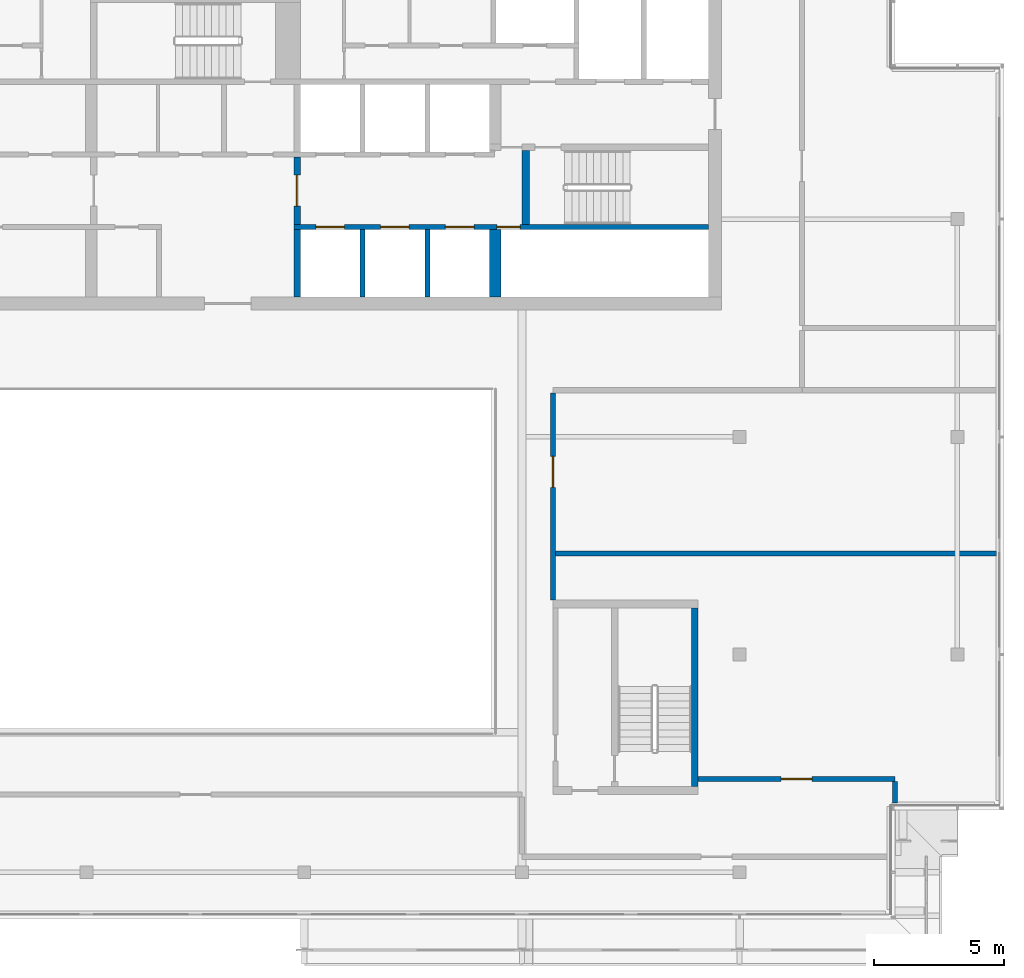
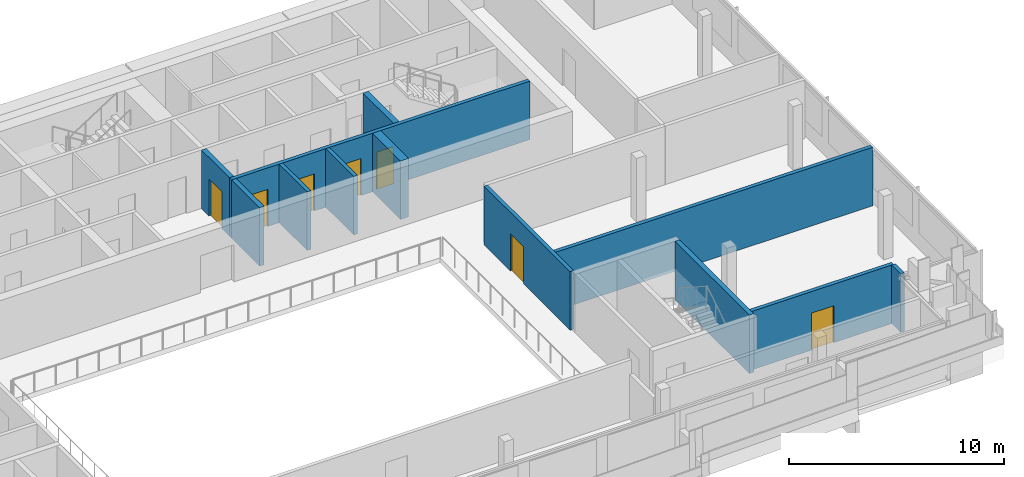
# One storey, part 13 of 21: 12 walls, 7 doors, 7 openings.
"""IFC4 building model written with IfcOpenShell, lengths in metres."""

import ifcopenshell
import ifcopenshell.guid

model = None  # the IFC model being written
_history = None  # IfcOwnerHistory: only IFC2X3 demands one
_inside = {}  # id of a spatial element -> (the spatial element, [elements in it])
_under = {}  # id of a project, library or spatial element -> (it, [spatial elements below it])
_declared = {}  # id of a project -> (the project, [libraries it declares])
_typed = {}  # id of a type object -> (the type object, [elements of that type])
_made_of = {}  # id of a material, layer set ... -> (it, [elements and type objects made of it])


def new_model(schema):
    """Start an empty IFC model of exactly this schema.

    Asked for "IFC4X3", IfcOpenShell would pick the latest addendum, in which some entities
    have other attributes; the version numbers below select the first issue.
    IFC2X3 requires an IfcOwnerHistory on every rooted entity: one is made here for all.
    """
    global model, _history
    if schema == "IFC4X3":
        model = ifcopenshell.file(schema_version=(4, 3, 0, 0))
    else:
        model = ifcopenshell.file(schema=schema)
    _inside.clear()
    _under.clear()
    _declared.clear()
    _typed.clear()
    _made_of.clear()
    _history = None
    if model.schema == "IFC2X3":
        org = make("IfcOrganization", Name="unknown")
        user = make(
            "IfcPersonAndOrganization",
            ThePerson=make("IfcPerson", FamilyName="unknown"),
            TheOrganization=org,
        )
        app = make(
            "IfcApplication",
            ApplicationDeveloper=org,
            Version="unknown",
            ApplicationFullName="unknown",
            ApplicationIdentifier="unknown",
        )
        _history = make(
            "IfcOwnerHistory",
            OwningUser=user,
            OwningApplication=app,
            ChangeAction="ADDED",
            CreationDate=0,
        )
    return model


def make(cls, **values):
    """One entity of the class cls with the attributes given. An attribute that is None is left unset."""
    return model.create_entity(
        cls, **{name: value for name, value in values.items() if value is not None}
    )


def rooted(cls, **values):
    """An entity with a GlobalId (a new one), such as an element, a storey or a relation."""
    return make(cls, GlobalId=ifcopenshell.guid.new(), OwnerHistory=_history, **values)


def si_unit(unit_type, name, prefix=None):
    """IfcSIUnit, for example si_unit("LENGTHUNIT", "METRE", prefix="MILLI")."""
    return make("IfcSIUnit", UnitType=unit_type, Prefix=prefix, Name=name)


def assignment(units):
    """IfcUnitAssignment: the units of a project."""
    return None if units is None else make("IfcUnitAssignment", Units=units)


def point(xyz):
    """IfcCartesianPoint."""
    return None if xyz is None else make("IfcCartesianPoint", Coordinates=xyz)


def direction(xyz):
    """IfcDirection."""
    return None if xyz is None else make("IfcDirection", DirectionRatios=xyz)


def frame(location, z_axis=None, x_axis=None):
    """IfcAxis2Placement3D, a coordinate frame: its origin and axes. An axis left out is left unset."""
    return make(
        "IfcAxis2Placement3D",
        Location=point(location),
        Axis=direction(z_axis),
        RefDirection=direction(x_axis),
    )


def frame_2d(location, x_axis=None):
    """IfcAxis2Placement2D, a coordinate frame in the plane: its origin and x axis."""
    return make(
        "IfcAxis2Placement2D", Location=point(location), RefDirection=direction(x_axis)
    )


def origin():
    """The frame at (0, 0, 0) with its axes left unset."""
    return frame((0.0, 0.0, 0.0))


def place(relative_to, where):
    """IfcLocalPlacement: puts the frame where relative to a parent placement (None: the world)."""
    return make(
        "IfcLocalPlacement", PlacementRelTo=relative_to, RelativePlacement=where
    )


def context(
    kind, dimensions, precision=None, world=None, true_north=None, identifier=None
):
    """IfcGeometricRepresentationContext, for example the 3D "Model" context."""
    return make(
        "IfcGeometricRepresentationContext",
        ContextIdentifier=identifier,
        ContextType=kind,
        CoordinateSpaceDimension=dimensions,
        Precision=precision,
        WorldCoordinateSystem=world,
        TrueNorth=true_north,
    )


def subcontext(parent, identifier, kind, view, scale=None):
    """IfcGeometricRepresentationSubContext, for example "Body" below "Model"."""
    return make(
        "IfcGeometricRepresentationSubContext",
        ContextIdentifier=identifier,
        ContextType=kind,
        ParentContext=parent,
        TargetScale=scale,
        TargetView=view,
    )


def project(units=None, contexts=None):
    """IfcProject with its units and contexts."""
    return rooted(
        "IfcProject",
        Name="project",
        RepresentationContexts=contexts,
        UnitsInContext=assignment(units),
    )


def spatial(cls, under=None, at=None, **own):
    """A site, building, storey or space (cls), placed at a placement, below another one or the project."""
    s = rooted(cls, ObjectPlacement=at, **own)
    if under is not None:
        _under.setdefault(under.id(), (under, []))[1].append(s)
    return s


def profile(cls, at=None, kind="AREA", **sizes):
    """A parametric profile (cls). Its sizes go by their IFC names, for example OverallWidth=200.0."""
    return make(cls, ProfileType=kind, Position=at, **sizes)


def rectangle(**sizes):
    """IfcRectangleProfileDef."""
    return profile("IfcRectangleProfileDef", **sizes)


def extrude(swept, where, along, depth):
    """IfcExtrudedAreaSolid: the profile swept, set in the frame where, extruded along a direction by depth."""
    return make(
        "IfcExtrudedAreaSolid",
        SweptArea=swept,
        Position=where,
        ExtrudedDirection=direction(along),
        Depth=depth,
    )


def shape(context_of_items, identifier, shape_type, items):
    """IfcShapeRepresentation: the items that make up one representation, for example the "Body"."""
    return make(
        "IfcShapeRepresentation",
        ContextOfItems=context_of_items,
        RepresentationIdentifier=identifier,
        RepresentationType=shape_type,
        Items=items,
    )


def material(Name=None, Category=None):
    """IfcMaterial."""
    return make("IfcMaterial", Name=Name, Category=Category)


def layer(
    of_material, thickness, ventilated=None, Name=None, Category=None, Priority=None
):
    """IfcMaterialLayer: one layer of a wall or slab, of a material (None: an air gap)."""
    return make(
        "IfcMaterialLayer",
        Material=of_material,
        LayerThickness=thickness,
        IsVentilated=ventilated,
        Name=Name,
        Category=Category,
        Priority=Priority,
    )


def layer_set(layers, Name=None):
    """IfcMaterialLayerSet."""
    return make("IfcMaterialLayerSet", MaterialLayers=layers, LayerSetName=Name)


def made_of(thing, what):
    """Note that an element or type object is made of a material, layer set ...; save() writes the relation."""
    if what is not None:
        _made_of.setdefault(what.id(), (what, []))[1].append(thing)
    return thing


def type_object(cls, material=None, **own):
    """A type object (cls), such as IfcWallType, which elements share."""
    return made_of(rooted(cls, **own), material)


def element(
    cls,
    number,
    at=None,
    inside=None,
    cuts=None,
    type_object=None,
    material=None,
    context=None,
    identifier="Body",
    shape_type=None,
    held_by="IfcProductDefinitionShape",
    body=None,
    shapes=None,
    **own,
):
    """One element of the class cls, such as IfcWall. Its Tag is "e" and its number.

    at: its placement. inside: the storey or other place that contains it. cuts: it is an
    opening in that element (IfcRelVoidsElement). A single representation is given by context,
    identifier, shape_type and body (its items); several are given by shapes. held_by: the class
    of the entity that holds the representations. save() writes the other relations.
    """
    e = rooted(cls, Tag="e%d" % number, ObjectPlacement=at, **own)
    if body is not None:
        shapes = [shape(context, identifier, shape_type, body)]
    if shapes is not None:
        e.Representation = make(held_by, Representations=shapes)
    if inside is not None:
        _inside.setdefault(inside.id(), (inside, []))[1].append(e)
    if cuts is not None:
        rooted(
            "IfcRelVoidsElement", RelatingBuildingElement=cuts, RelatedOpeningElement=e
        )
    if type_object is not None:
        _typed.setdefault(type_object.id(), (type_object, []))[1].append(e)
    return made_of(e, material)


def fill(opening, filler):
    """IfcRelFillsElement: the door or window that sits in an opening."""
    return rooted(
        "IfcRelFillsElement",
        RelatingOpeningElement=opening,
        RelatedBuildingElement=filler,
    )


def aggregate(whole, parts):
    """IfcRelAggregates: a whole, such as a stair, and the parts it consists of."""
    return rooted("IfcRelAggregates", RelatingObject=whole, RelatedObjects=parts)


def save(model, path):
    """Write the relations noted so far, then the file.

    IfcRelAggregates (storeys below a building ...), IfcRelContainedInSpatialStructure (elements
    in a storey), IfcRelDefinesByType, IfcRelAssociatesMaterial and IfcRelDeclares: one each for
    every whole, place, type object, material and project.
    """
    for whole, parts in _under.values():
        aggregate(whole, parts)
    for where, things in _inside.values():
        rooted(
            "IfcRelContainedInSpatialStructure",
            RelatedElements=things,
            RelatingStructure=where,
        )
    for kind, things in _typed.values():
        rooted("IfcRelDefinesByType", RelatedObjects=things, RelatingType=kind)
    for what, things in _made_of.values():
        rooted("IfcRelAssociatesMaterial", RelatedObjects=things, RelatingMaterial=what)
    for by, libraries in _declared.values():
        rooted("IfcRelDeclares", RelatingContext=by, RelatedDefinitions=libraries)
    model.write(path)


model = new_model("IFC4")

# Units and contexts
model_context = context("Model", 3, precision=1e-05, world=origin(), true_north=direction((0.0, 1.0)))
body_context = subcontext(model_context, "Body", "Model", "MODEL_VIEW")
ifc_project = project(units=[si_unit("LENGTHUNIT", "METRE"), si_unit("AREAUNIT", "SQUARE_METRE"), si_unit("VOLUMEUNIT", "CUBIC_METRE"), si_unit("PLANEANGLEUNIT", "RADIAN"), si_unit("MASSUNIT", "GRAM", prefix="KILO")], contexts=[model_context])

# Site, building, storey
site_placement = place(None, origin())
site = spatial("IfcSite", under=ifc_project, at=site_placement, CompositionType="ELEMENT")
building_placement = place(site_placement, origin())
building = spatial("IfcBuilding", under=site, at=building_placement, Name="Saffron Gate Tower", CompositionType="ELEMENT")
storey_placement = place(building_placement, frame((0.0, 0.0, 299.550048828125)))
storey = spatial("IfcBuildingStorey", under=building, at=storey_placement, Name="L73", CompositionType="ELEMENT", Elevation=299.550048828125)

# Wall
ifc_material_1 = material(Name="Concrete C50", Category="concrete")
ifc_layer_1 = layer(ifc_material_1, 0.25)
ifc_layer_set_1 = layer_set([ifc_layer_1], Name="CW23 RC core wall 250 C50")
wall_type_1 = type_object("IfcWallType", Name="CW23 RC core wall 250 C50", PredefinedType="SOLIDWALL", material=ifc_layer_set_1)
wall_1_placement = place(storey_placement, frame((91.52490234375, 62.39990234375, 0.0), z_axis=(0.0, 0.0, 1.0), x_axis=(0.0, 1.0, 0.0)))
element("IfcWall", 1, at=wall_1_placement, inside=storey, type_object=wall_type_1, Name="Wall CW23-L73-8", PredefinedType="SOLIDWALL", context=body_context, shape_type="SweptSolid", body=[
    extrude(rectangle(XDim=2.60009765625, YDim=0.25, at=frame_2d((1.300048828125, 0.0))), origin(), (0.0, 0.0, 1.0), 3.320068359375),
])

# Wall, opening, door
wall_2_placement = place(storey_placement, frame((91.52490234375, 65.199951171875, 0.0), z_axis=(0.0, 0.0, 1.0), x_axis=(0.0, 1.0, 0.0)))
wall_2 = element("IfcWall", 2, at=wall_2_placement, inside=storey, type_object=wall_type_1, Name="Wall CW23-L73-16", PredefinedType="SOLIDWALL", context=body_context, shape_type="SweptSolid", body=[
    extrude(rectangle(XDim=2.60009765625, YDim=0.25, at=frame_2d((1.300048828125, 0.0))), origin(), (0.0, 0.0, 1.0), 3.320068359375),
])
opening_1_placement = place(wall_2_placement, frame((0.699951171875, 0.0, 0.0)))
opening_1 = element("IfcOpeningElement", 3, at=opening_1_placement, cuts=wall_2, Name="Opening CR-01", PredefinedType="OPENING", context=body_context, shape_type="SweptSolid", body=[
    extrude(rectangle(XDim=1.199951171875, YDim=2.10009765625, at=frame_2d((0.60009765625, 1.050048828125))), frame((0.0, 0.135009765625, 0.0), z_axis=(0.0, -1.0, 0.0), x_axis=(1.0, 0.0, 0.0)), (0.0, 0.0, 1.0), 0.27001953125),
])
ifc_material_2 = material(Name="Steel fire door set", Category="steel")
door_type_1 = type_object("IfcDoorType", Name="CD3 Lobby door 1200x2100 EI 120", OperationType="NOTDEFINED", PredefinedType="DOOR", material=ifc_material_2)
door_1_placement = place(opening_1_placement, origin())
door_1 = element("IfcDoor", 4, at=door_1_placement, inside=storey, type_object=door_type_1, Name="DOOR CR-01", OperationType="SINGLE_SWING_RIGHT", OverallHeight=2.10009765625, OverallWidth=1.199951171875, PredefinedType="DOOR", context=body_context, shape_type="SweptSolid", body=[
    extrude(rectangle(XDim=1.199951171875, YDim=2.10009765625, at=frame_2d((0.60009765625, 1.050048828125))), frame((0.0, 0.02490234375, 0.0), z_axis=(0.0, -1.0, 0.0), x_axis=(1.0, 0.0, 0.0)), (0.0, 0.0, 1.0), 0.050048828125),
])
fill(opening_1, door_1)

# Walls
wall_3_placement = place(storey_placement, frame((106.875, 43.5, 0.0), z_axis=(0.0, 0.0, 1.0), x_axis=(0.0, 1.0, 0.0)))
element("IfcWall", 5, at=wall_3_placement, inside=storey, type_object=wall_type_1, Name="Wall CW23-L73-E-4", PredefinedType="SOLIDWALL", context=body_context, shape_type="SweptSolid", body=[
    extrude(rectangle(XDim=6.89990234375, YDim=0.25, at=frame_2d((3.449951171875, 0.0))), origin(), (0.0, 0.0, 1.0), 3.320068359375),
])
ifc_layer_2 = layer(ifc_material_1, 0.449951171875)
ifc_layer_set_2 = layer_set([ifc_layer_2], Name="CW24 RC core wall 450 C50")
wall_type_2 = type_object("IfcWallType", Name="CW24 RC core wall 450 C50", PredefinedType="SOLIDWALL", material=ifc_layer_set_2)
wall_4_placement = place(storey_placement, frame((99.175048828125, 62.39990234375, 0.0), z_axis=(0.0, 0.0, 1.0), x_axis=(0.0, 1.0, 0.0)))
element("IfcWall", 6, at=wall_4_placement, inside=storey, type_object=wall_type_2, Name="Wall CW24-L73-11", PredefinedType="SOLIDWALL", context=body_context, shape_type="SweptSolid", body=[
    extrude(rectangle(XDim=2.60009765625, YDim=0.449951171875, at=frame_2d((1.300048828125, 0.0))), origin(), (0.0, 0.0, 1.0), 3.320068359375),
])
ifc_layer_3 = layer(ifc_material_1, 0.199951171875)
ifc_layer_set_3 = layer_set([ifc_layer_3], Name="CW25 RC core wall 200 C50")
wall_type_3 = type_object("IfcWallType", Name="CW25 RC core wall 200 C50", PredefinedType="SOLIDWALL", material=ifc_layer_set_3)
for number, where, z_axis, x_axis, name in (
    (7, (94.050048828125, 62.39990234375, 0.0), (0.0, 0.0, 1.0), (0.0, 1.0, 0.0), "Wall CW25-L73-9"),
    (8, (96.550048828125, 62.39990234375, 0.0), (0.0, 0.0, 1.0), (0.0, 1.0, 0.0), "Wall CW25-L73-10"),
):
    element("IfcWall", number, at=place(storey_placement, frame(where, z_axis=z_axis, x_axis=x_axis)), inside=storey, type_object=wall_type_3, Name=name, PredefinedType="SOLIDWALL", context=body_context, shape_type="SweptSolid", body=[
        extrude(rectangle(XDim=2.60009765625, YDim=0.199951171875, at=frame_2d((1.300048828125, 0.0))), origin(), (0.0, 0.0, 1.0), 3.320068359375),
    ])

# Wall, openings, doors
wall_5_placement = place(storey_placement, frame((91.39990234375, 65.10009765625, 0.0), z_axis=(0.0, 0.0, 1.0), x_axis=(1.0, 0.0, 0.0)))
wall_5 = element("IfcWall", 9, at=wall_5_placement, inside=storey, type_object=wall_type_3, Name="Wall CW25-L73-13", PredefinedType="SOLIDWALL", context=body_context, shape_type="SweptSolid", body=[
    extrude(rectangle(XDim=16.0, YDim=0.199951171875, at=frame_2d((8.0, 0.0))), origin(), (0.0, 0.0, 1.0), 3.320068359375),
])
opening_2_placement = place(wall_5_placement, frame((0.85009765625, 0.0, 0.0)))
opening_2 = element("IfcOpeningElement", 10, at=opening_2_placement, cuts=wall_5, Name="Opening LD-HR1", PredefinedType="OPENING", context=body_context, shape_type="SweptSolid", body=[
    extrude(rectangle(XDim=1.10009765625, YDim=2.10009765625, at=frame_2d((0.550048828125, 1.050048828125))), frame((0.0, 0.10986328125, 0.0), z_axis=(0.0, -1.0, 0.0), x_axis=(1.0, 0.0, 0.0)), (0.0, 0.0, 1.0), 0.219970703125),
])
opening_3_placement = place(wall_5_placement, frame((3.35009765625, 0.0, 0.0)))
opening_3 = element("IfcOpeningElement", 11, at=opening_3_placement, cuts=wall_5, Name="Opening LD-HR2", PredefinedType="OPENING", context=body_context, shape_type="SweptSolid", body=[
    extrude(rectangle(XDim=1.10009765625, YDim=2.10009765625, at=frame_2d((0.550048828125, 1.050048828125))), frame((0.0, 0.10986328125, 0.0), z_axis=(0.0, -1.0, 0.0), x_axis=(1.0, 0.0, 0.0)), (0.0, 0.0, 1.0), 0.219970703125),
])
opening_4_placement = place(wall_5_placement, frame((5.85009765625, 0.0, 0.0)))
opening_4 = element("IfcOpeningElement", 12, at=opening_4_placement, cuts=wall_5, Name="Opening LD-HR3", PredefinedType="OPENING", context=body_context, shape_type="SweptSolid", body=[
    extrude(rectangle(XDim=1.10009765625, YDim=2.10009765625, at=frame_2d((0.550048828125, 1.050048828125))), frame((0.0, 0.10986328125, 0.0), z_axis=(0.0, -1.0, 0.0), x_axis=(1.0, 0.0, 0.0)), (0.0, 0.0, 1.0), 0.219970703125),
])
opening_5_placement = place(wall_5_placement, frame((7.830078125, 0.0, 0.0)))
opening_5 = element("IfcOpeningElement", 13, at=opening_5_placement, cuts=wall_5, Name="Opening CR-48", PredefinedType="OPENING", context=body_context, shape_type="SweptSolid", body=[
    extrude(rectangle(XDim=0.89990234375, YDim=2.10009765625, at=frame_2d((0.449951171875, 1.050048828125))), frame((0.0, 0.10986328125, 0.0), z_axis=(0.0, -1.0, 0.0), x_axis=(1.0, 0.0, 0.0)), (0.0, 0.0, 1.0), 0.219970703125),
])
door_type_2 = type_object("IfcDoorType", Name="CD2 Riser door 900x2100 EI 60", OperationType="NOTDEFINED", PredefinedType="DOOR", material=ifc_material_2)
door_2_placement = place(opening_5_placement, origin())
door_2 = element("IfcDoor", 14, at=door_2_placement, inside=storey, type_object=door_type_2, Name="DOOR CR-48", OperationType="SINGLE_SWING_RIGHT", OverallHeight=2.10009765625, OverallWidth=0.89990234375, PredefinedType="DOOR", context=body_context, shape_type="SweptSolid", body=[
    extrude(rectangle(XDim=0.89990234375, YDim=2.10009765625, at=frame_2d((0.449951171875, 1.050048828125))), frame((0.0, 0.02490234375, 0.0), z_axis=(0.0, -1.0, 0.0), x_axis=(1.0, 0.0, 0.0)), (0.0, 0.0, 1.0), 0.050048828125),
])
fill(opening_5, door_2)
ifc_material_3 = material(Name="Stainless steel landing door", Category="steel")
door_type_3 = type_object("IfcDoorType", Name="LD Lift landing door 1100x2100 EI 120", OperationType="SLIDING_TO_LEFT", PredefinedType="DOOR", material=ifc_material_3)
door_3_placement = place(opening_2_placement, origin())
door_3 = element("IfcDoor", 15, at=door_3_placement, inside=storey, type_object=door_type_3, Name="LANDING DOOR LD-HR1", OperationType="SLIDING_TO_LEFT", OverallHeight=2.10009765625, OverallWidth=1.10009765625, PredefinedType="DOOR", context=body_context, shape_type="SweptSolid", body=[
    extrude(rectangle(XDim=1.10009765625, YDim=2.10009765625, at=frame_2d((0.550048828125, 1.050048828125))), frame((0.0, 0.02490234375, 0.0), z_axis=(0.0, -1.0, 0.0), x_axis=(1.0, 0.0, 0.0)), (0.0, 0.0, 1.0), 0.050048828125),
])
fill(opening_2, door_3)
door_4_placement = place(opening_3_placement, origin())
door_4 = element("IfcDoor", 16, at=door_4_placement, inside=storey, type_object=door_type_3, Name="LANDING DOOR LD-HR2", OperationType="SLIDING_TO_LEFT", OverallHeight=2.10009765625, OverallWidth=1.10009765625, PredefinedType="DOOR", context=body_context, shape_type="SweptSolid", body=[
    extrude(rectangle(XDim=1.10009765625, YDim=2.10009765625, at=frame_2d((0.550048828125, 1.050048828125))), frame((0.0, 0.02490234375, 0.0), z_axis=(0.0, -1.0, 0.0), x_axis=(1.0, 0.0, 0.0)), (0.0, 0.0, 1.0), 0.050048828125),
])
fill(opening_3, door_4)
door_5_placement = place(opening_4_placement, origin())
door_5 = element("IfcDoor", 17, at=door_5_placement, inside=storey, type_object=door_type_3, Name="LANDING DOOR LD-HR3", OperationType="SLIDING_TO_LEFT", OverallHeight=2.10009765625, OverallWidth=1.10009765625, PredefinedType="DOOR", context=body_context, shape_type="SweptSolid", body=[
    extrude(rectangle(XDim=1.10009765625, YDim=2.10009765625, at=frame_2d((0.550048828125, 1.050048828125))), frame((0.0, 0.02490234375, 0.0), z_axis=(0.0, -1.0, 0.0), x_axis=(1.0, 0.0, 0.0)), (0.0, 0.0, 1.0), 0.050048828125),
])
fill(opening_4, door_5)

# Wall
ifc_layer_4 = layer(ifc_material_1, 0.300048828125)
ifc_layer_set_4 = layer_set([ifc_layer_4], Name="CW26 RC core wall 300 C50")
wall_type_4 = type_object("IfcWallType", Name="CW26 RC core wall 300 C50", PredefinedType="SOLIDWALL", material=ifc_layer_set_4)
wall_6_placement = place(storey_placement, frame((100.35009765625, 65.199951171875, 0.0), z_axis=(0.0, 0.0, 1.0), x_axis=(0.0, 1.0, 0.0)))
element("IfcWall", 18, at=wall_6_placement, inside=storey, type_object=wall_type_4, Name="Wall CW26-L73-17", PredefinedType="SOLIDWALL", context=body_context, shape_type="SweptSolid", body=[
    extrude(rectangle(XDim=2.85009765625, YDim=0.300048828125, at=frame_2d((1.425048828125, 0.0))), origin(), (0.0, 0.0, 1.0), 3.320068359375),
])

# Wall, opening, door
ifc_material_4 = material(Name="Clay brick masonry, rendered", Category="masonry")
ifc_layer_5 = layer(ifc_material_4, 0.199951171875)
ifc_layer_set_5 = layer_set([ifc_layer_5], Name="PW3 Corridor wall 200")
wall_type_5 = type_object("IfcWallType", Name="PW3 Corridor wall 200", PredefinedType="PARTITIONING", material=ifc_layer_set_5)
wall_7_placement = place(storey_placement, frame((107.0, 43.800048828125, 0.0), z_axis=(0.0, 0.0, 1.0), x_axis=(1.0, 0.0, 0.0)))
wall_7 = element("IfcWall", 19, at=wall_7_placement, inside=storey, type_object=wall_type_5, Name="Wall E6-5", PredefinedType="PARTITIONING", context=body_context, shape_type="SweptSolid", body=[
    extrude(rectangle(XDim=7.60009765625, YDim=0.199951171875, at=frame_2d((3.800048828125, 0.0))), origin(), (0.0, 0.0, 1.0), 3.320068359375),
])
opening_6_placement = place(wall_7_placement, frame((3.199951171875, 0.0, 0.0)))
opening_6 = element("IfcOpeningElement", 20, at=opening_6_placement, cuts=wall_7, Name="Opening E6-5", PredefinedType="OPENING", context=body_context, shape_type="SweptSolid", body=[
    extrude(rectangle(XDim=1.199951171875, YDim=2.10009765625, at=frame_2d((0.60009765625, 1.050048828125))), frame((0.0, 0.10986328125, 0.0), z_axis=(0.0, -1.0, 0.0), x_axis=(1.0, 0.0, 0.0)), (0.0, 0.0, 1.0), 0.219970703125),
])
ifc_material_5 = material(Name="Timber door set", Category="wood")
door_type_4 = type_object("IfcDoorType", Name="HD1 Hall door 1200x2100", OperationType="NOTDEFINED", PredefinedType="DOOR", material=ifc_material_5)
door_6_placement = place(opening_6_placement, origin())
door_6 = element("IfcDoor", 21, at=door_6_placement, inside=storey, type_object=door_type_4, Name="Door E6-5", OperationType="SINGLE_SWING_LEFT", OverallHeight=2.10009765625, OverallWidth=1.199951171875, PredefinedType="DOOR", context=body_context, shape_type="SweptSolid", body=[
    extrude(rectangle(XDim=1.199951171875, YDim=2.10009765625, at=frame_2d((0.60009765625, 1.050048828125))), frame((0.0, 0.02490234375, 0.0), z_axis=(0.0, -1.0, 0.0), x_axis=(1.0, 0.0, 0.0)), (0.0, 0.0, 1.0), 0.050048828125),
])
fill(opening_6, door_6)

wall_8_placement = place(storey_placement, frame((101.39990234375, 58.699951171875, 0.0), z_axis=(0.0, 0.0, 1.0), x_axis=(0.0, -1.0, 0.0)))
wall_8 = element("IfcWall", 22, at=wall_8_placement, inside=storey, type_object=wall_type_5, Name="Wall E6-20", PredefinedType="PARTITIONING", context=body_context, shape_type="SweptSolid", body=[
    extrude(rectangle(XDim=8.0, YDim=0.199951171875, at=frame_2d((4.0, 0.0))), origin(), (0.0, 0.0, 1.0), 3.320068359375),
])
opening_7_placement = place(wall_8_placement, frame((2.449951171875, 0.0, 0.0)))
opening_7 = element("IfcOpeningElement", 23, at=opening_7_placement, cuts=wall_8, Name="Opening E6-3", PredefinedType="OPENING", context=body_context, shape_type="SweptSolid", body=[
    extrude(rectangle(XDim=1.199951171875, YDim=2.10009765625, at=frame_2d((0.60009765625, 1.050048828125))), frame((0.0, 0.10986328125, 0.0), z_axis=(0.0, -1.0, 0.0), x_axis=(1.0, 0.0, 0.0)), (0.0, 0.0, 1.0), 0.219970703125),
])
door_7_placement = place(opening_7_placement, origin())
door_7 = element("IfcDoor", 24, at=door_7_placement, inside=storey, type_object=door_type_4, Name="Door E6-3", OperationType="SINGLE_SWING_LEFT", OverallHeight=2.10009765625, OverallWidth=1.199951171875, PredefinedType="DOOR", context=body_context, shape_type="SweptSolid", body=[
    extrude(rectangle(XDim=1.199951171875, YDim=2.10009765625, at=frame_2d((0.60009765625, 1.050048828125))), frame((0.0, 0.02490234375, 0.0), z_axis=(0.0, -1.0, 0.0), x_axis=(1.0, 0.0, 0.0)), (0.0, 0.0, 1.0), 0.050048828125),
])
fill(opening_7, door_7)

# Walls
wall_9_placement = place(storey_placement, frame((114.60009765625, 43.699951171875, 0.0), z_axis=(0.0, 0.0, 1.0), x_axis=(0.0, -1.0, 0.0)))
element("IfcWall", 25, at=wall_9_placement, inside=storey, type_object=wall_type_5, Name="Wall E6-23", PredefinedType="PARTITIONING", context=body_context, shape_type="SweptSolid", body=[
    extrude(rectangle(XDim=0.820068359375, YDim=0.199951171875, at=frame_2d((0.41015625, 0.0))), origin(), (0.0, 0.0, 1.0), 3.320068359375),
])
ifc_layer_6 = layer(ifc_material_4, 0.199951171875)
ifc_layer_set_6 = layer_set([ifc_layer_6], Name="PW5 Room wall 200")
wall_type_6 = type_object("IfcWallType", Name="PW5 Room wall 200", PredefinedType="PARTITIONING", material=ifc_layer_set_6)
wall_10_placement = place(storey_placement, frame((101.5, 52.5, 0.0), z_axis=(0.0, 0.0, 1.0), x_axis=(1.0, 0.0, 0.0)))
element("IfcWall", 26, at=wall_10_placement, inside=storey, type_object=wall_type_6, Name="Wall E6-7", PredefinedType="PARTITIONING", context=body_context, shape_type="SweptSolid", body=[
    extrude(rectangle(XDim=17.02001953125, YDim=0.199951171875, at=frame_2d((8.510009765625, 0.0))), origin(), (0.0, 0.0, 1.0), 3.320068359375),
])

save(model, "model.ifc")
